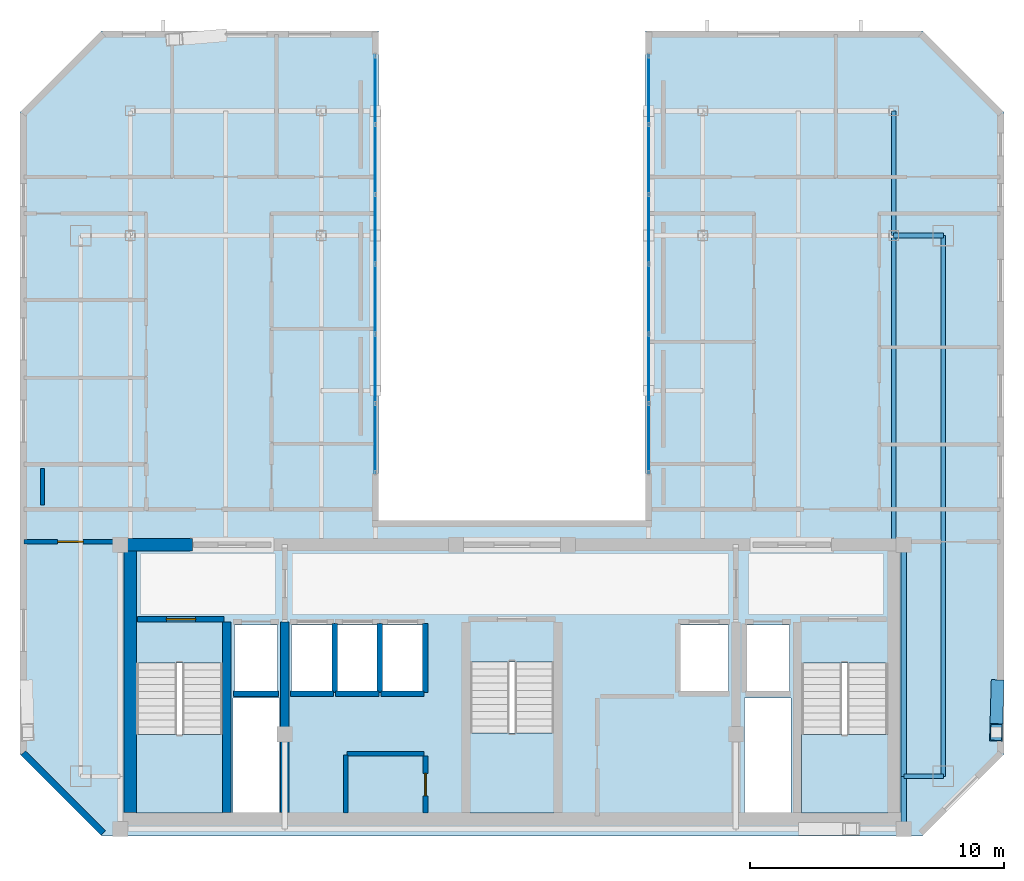
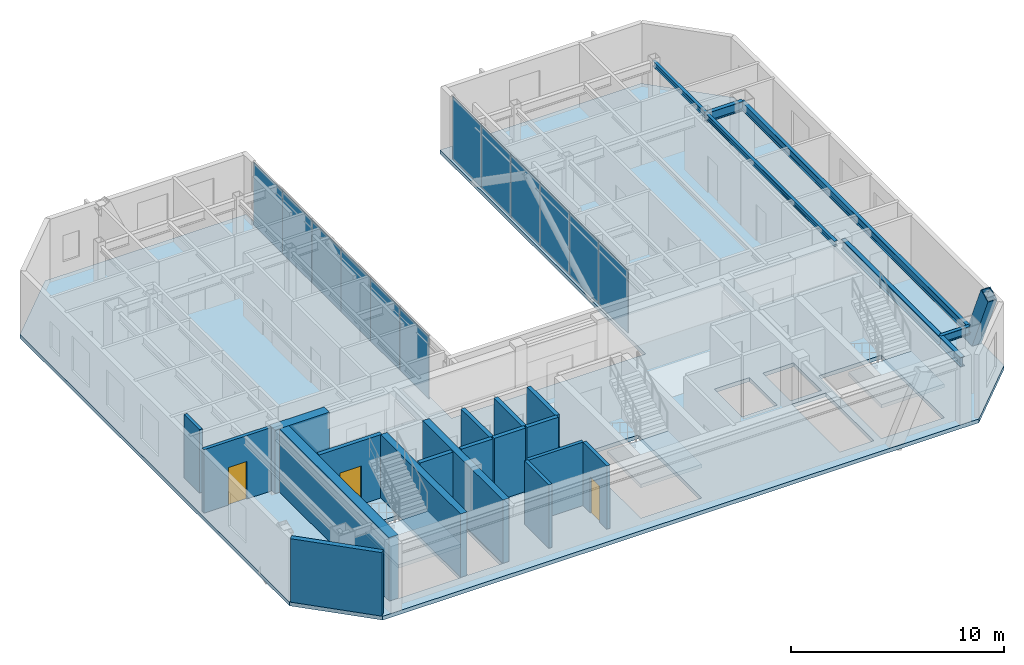
# One storey, part 13 of 18: 18 walls, 12 plates, 7 beams, 4 slabs, 3 doors, 1 member, 3 openings, 5 elements without a shape of their own.
"""IFC4 building model written with IfcOpenShell, lengths in metres."""

from ifc_helpers import new_model, si_unit, direction, frame, frame_2d, origin, origin_2d, place, context, subcontext, project, spatial, polyline, rectangle, hollow_rectangle, i_section, outline, extrude, material, layer, layer_set, material_profile, profile_set, type_object, element, fill, aggregate, save


model = new_model("IFC4")

# Units and contexts
model_context = context("Model", 3, precision=1e-05, world=origin(), true_north=direction((0.0, 1.0)))
body_context = subcontext(model_context, "Body", "Model", "MODEL_VIEW")
ifc_project = project(units=[si_unit("LENGTHUNIT", "METRE"), si_unit("AREAUNIT", "SQUARE_METRE"), si_unit("VOLUMEUNIT", "CUBIC_METRE"), si_unit("PLANEANGLEUNIT", "RADIAN"), si_unit("MASSUNIT", "GRAM", prefix="KILO")], contexts=[model_context])

# Site, building, storey
site_placement = place(None, origin())
site = spatial("IfcSite", under=ifc_project, at=site_placement, CompositionType="ELEMENT")
building_placement = place(site_placement, origin())
building = spatial("IfcBuilding", under=site, at=building_placement, Name="Ventersveld Concourse Tower", CompositionType="ELEMENT")
storey_placement = place(building_placement, frame((0.0, 0.0, 341.35009765625)))
storey = spatial("IfcBuildingStorey", under=building, at=storey_placement, Name="L84", CompositionType="ELEMENT", Elevation=341.35009765625)

# Beams
ifc_material_1 = material(Name="Structural steel S355J2", Category="steel")
ifc_material_profile_1 = material_profile(ifc_material_1, i_section(OverallWidth=0.1650390625, OverallDepth=0.303466796875, WebThickness=0.006103515625, FlangeThickness=0.01025390625, FilletRadius=0.0087890625, at=origin_2d()), Name="UB 305x165x40")
ifc_profile_set_1 = profile_set([ifc_material_profile_1], Name="Structural steel S355J2")
beam_type_1 = type_object("IfcBeamType", Name="BM-UB305", PredefinedType="BEAM", material=ifc_profile_set_1)
beam_1_placement = place(storey_placement, frame((43.75, 11.449951171875, 3.478271484375), z_axis=(0.0, 1.0, 0.0), x_axis=(-1.0, 0.0, 0.0)))
element("IfcBeam", 1, at=beam_1_placement, inside=storey, type_object=beam_type_1, Name="L84 N-S Composite Floor Beam South X=43.75", PredefinedType="BEAM", context=body_context, shape_type="SweptSolid", body=[
    extrude(i_section(OverallWidth=0.1650390625, OverallDepth=0.303466796875, WebThickness=0.006103515625, FlangeThickness=0.01025390625, FilletRadius=0.0087890625, at=origin_2d()), origin(), (0.0, 0.0, 1.0), 12.150146484375),
])
beam_2_placement = place(storey_placement, frame((43.75, 23.60009765625, 3.478271484375), z_axis=(0.0, 1.0, 0.0), x_axis=(-1.0, 0.0, 0.0)))
element("IfcBeam", 2, at=beam_2_placement, inside=storey, type_object=beam_type_1, Name="L84 N-S Upper-Zone Floor Beam X=43.75", PredefinedType="BEAM", context=body_context, shape_type="SweptSolid", body=[
    extrude(i_section(OverallWidth=0.1650390625, OverallDepth=0.303466796875, WebThickness=0.006103515625, FlangeThickness=0.01025390625, FilletRadius=0.0087890625, at=origin_2d()), origin(), (0.0, 0.0, 1.0), 4.89990234375),
])
ifc_material_profile_2 = material_profile(ifc_material_1, i_section(OverallWidth=0.209228515625, OverallDepth=0.533203125, WebThickness=0.010009765625, FlangeThickness=0.015625, FilletRadius=0.0126953125, at=origin_2d()), Name="UB 533x210x92")
ifc_profile_set_2 = profile_set([ifc_material_profile_2], Name="Structural steel S355J2")
beam_type_2 = type_object("IfcBeamType", Name="GRD-UB533", PredefinedType="T_BEAM", material=ifc_profile_set_2)
beam_3_placement = place(storey_placement, frame((43.75, 23.60009765625, 3.36328125), z_axis=(1.0, 0.0, 0.0), x_axis=(0.0, 1.0, 0.0)))
element("IfcBeam", 3, at=beam_3_placement, inside=storey, type_object=beam_type_2, Name="L84 Primary E-W Grid Girder Y=23.60 #5", PredefinedType="T_BEAM", context=body_context, shape_type="SweptSolid", body=[
    extrude(i_section(OverallWidth=0.209228515625, OverallDepth=0.533203125, WebThickness=0.010009765625, FlangeThickness=0.015625, FilletRadius=0.0126953125, at=origin_2d()), origin(), (0.0, 0.0, 1.0), 1.949951171875),
])
ifc_material_profile_3 = material_profile(ifc_material_1, i_section(OverallWidth=0.2119140625, OverallDepth=0.54443359375, WebThickness=0.0126953125, FlangeThickness=0.021240234375, FilletRadius=0.0126953125, at=origin_2d()), Name="UB 533x210x122")
ifc_profile_set_3 = profile_set([ifc_material_profile_3], Name="Structural steel S355J2")
beam_type_3 = type_object("IfcBeamType", Name="GRD-UB533H", PredefinedType="T_BEAM", material=ifc_profile_set_3)
beam_4_placement = place(storey_placement, frame((44.14990234375, 0.280029296875, 3.357666015625), z_axis=(0.0, 1.0, 0.0), x_axis=(-1.0, 0.0, 0.0)))
element("IfcBeam", 4, at=beam_4_placement, inside=storey, type_object=beam_type_3, Name="L84 Core East Tie Beam S", PredefinedType="T_BEAM", context=body_context, shape_type="SweptSolid", body=[
    extrude(i_section(OverallWidth=0.2119140625, OverallDepth=0.54443359375, WebThickness=0.0126953125, FlangeThickness=0.021240234375, FilletRadius=0.0126953125, at=origin_2d()), origin(), (0.0, 0.0, 1.0), 2.070068359375),
])
beam_5_placement = place(storey_placement, frame((44.14990234375, 2.35009765625, 3.357666015625), z_axis=(0.0, 1.0, 0.0), x_axis=(-1.0, 0.0, 0.0)))
element("IfcBeam", 5, at=beam_5_placement, inside=storey, type_object=beam_type_3, Name="L84 Core East Tie Beam N", PredefinedType="T_BEAM", context=body_context, shape_type="SweptSolid", body=[
    extrude(i_section(OverallWidth=0.2119140625, OverallDepth=0.54443359375, WebThickness=0.0126953125, FlangeThickness=0.021240234375, FilletRadius=0.0126953125, at=origin_2d()), origin(), (0.0, 0.0, 1.0), 9.099853515625),
])

# Member
ifc_material_2 = material(Name="Structural steel S355ML", Category="steel")
ifc_material_profile_4 = material_profile(ifc_material_2, hollow_rectangle(XDim=0.5, YDim=0.75, WallThickness=0.034912109375, at=origin_2d()), Name="BOX 750x500x35")
ifc_profile_set_4 = profile_set([ifc_material_profile_4], Name="Structural steel S355ML")
member_type = type_object("IfcMemberType", Name="MB-750x500", PredefinedType="BRACE", material=ifc_profile_set_4)
member_placement = place(storey_placement, frame((47.827392578125, 5.7978515625, -0.22021484375), z_axis=(-0.011632088153, -0.408627733561, 0.912627015757), x_axis=(0.999595083146, -0.028454696461, 0.0)))
element("IfcMember", 6, at=member_placement, inside=storey, type_object=member_type, Name="L84 Exterior Mega-Brace E (Module M20)", PredefinedType="BRACE", context=body_context, shape_type="SweptSolid", body=[
    extrude(hollow_rectangle(XDim=0.5, YDim=0.75, WallThickness=0.034912109375, at=origin_2d()), origin(), (0.0, 0.0, 1.0), 4.21875),
])

# Beams
ifc_material_profile_5 = material_profile(ifc_material_1, i_section(OverallWidth=0.19140625, OverallDepth=0.4599609375, WebThickness=0.010009765625, FlangeThickness=0.01611328125, FilletRadius=0.01025390625, at=origin_2d()), Name="UB 457x191x82")
ifc_profile_set_5 = profile_set([ifc_material_profile_5], Name="Structural steel S355J2")
beam_type_4 = type_object("IfcBeamType", Name="SPD-UB457", PredefinedType="SPANDREL", material=ifc_profile_set_5)
beam_6_placement = place(storey_placement, frame((44.14990234375, 2.35009765625, 3.39990234375), z_axis=(1.0, 0.0, 0.0), x_axis=(0.0, 1.0, 0.0)))
element("IfcBeam", 7, at=beam_6_placement, inside=storey, type_object=beam_type_4, Name="L84 SE Spandrel Beam", PredefinedType="SPANDREL", context=body_context, shape_type="SweptSolid", body=[
    extrude(i_section(OverallWidth=0.19140625, OverallDepth=0.4599609375, WebThickness=0.010009765625, FlangeThickness=0.01611328125, FilletRadius=0.01025390625, at=origin_2d()), origin(), (0.0, 0.0, 1.0), 1.550048828125),
])
beam_7_placement = place(storey_placement, frame((45.699951171875, 2.35009765625, 3.39990234375), z_axis=(0.0, 1.0, 0.0), x_axis=(-1.0, 0.0, 0.0)))
element("IfcBeam", 8, at=beam_7_placement, inside=storey, type_object=beam_type_4, Name="L84 East Spandrel Beam", PredefinedType="SPANDREL", context=body_context, shape_type="SweptSolid", body=[
    extrude(i_section(OverallWidth=0.19140625, OverallDepth=0.4599609375, WebThickness=0.010009765625, FlangeThickness=0.01611328125, FilletRadius=0.01025390625, at=origin_2d()), origin(), (0.0, 0.0, 1.0), 21.25),
])

# Curtain wall, plates
ifc_material_3 = material(Name="Anodised aluminium EN AW-6063-T6", Category="aluminium")
curtain_wall_type = type_object("IfcCurtainWallType", Name="CW-WP-5", PredefinedType="NOTDEFINED", material=ifc_material_3)
curtain_wall_1_placement = place(storey_placement, origin())
curtain_wall_1 = element("IfcCurtainWall", 9, at=curtain_wall_1_placement, inside=storey, type_object=curtain_wall_type, Name="L84 L84 Wind Portal Aerodynamic Cheek Curtain Wall", PredefinedType="NOTDEFINED")
ifc_material_4 = material(Name="Low-E double glazing IGU", Category="glass")
ifc_layer_1 = layer(ifc_material_4, 0.0380859375)
ifc_layer_set_1 = layer_set([ifc_layer_1], Name="Low-E double glazing IGU")
plate_type = type_object("IfcPlateType", Name="CWP-GLZ-38", PredefinedType="CURTAIN_PANEL", material=ifc_layer_set_1)
plate_1_placement = place(storey_placement, frame((34.1298828125, 15.62158203125, 0.02001953125), z_axis=(0.0, 0.0, 1.0), x_axis=(0.0, 1.0, 0.0)))
plate_1 = element("IfcPlate", 10, at=plate_1_placement, type_object=plate_type, Name="CW-L84-WP-E Glazed Panel 01-1", PredefinedType="CURTAIN_PANEL", context=body_context, shape_type="SweptSolid", body=[
    extrude(rectangle(XDim=2.73291015625, YDim=0.0380859375, at=origin_2d()), origin(), (0.0, 0.0, 1.0), 3.590087890625),
])
plate_2_placement = place(storey_placement, frame((34.1298828125, 18.364501953125, 0.02001953125), z_axis=(0.0, 0.0, 1.0), x_axis=(0.0, 1.0, 0.0)))
plate_2 = element("IfcPlate", 11, at=plate_2_placement, type_object=plate_type, Name="CW-L84-WP-E Glazed Panel 02-1", PredefinedType="CURTAIN_PANEL", context=body_context, shape_type="SweptSolid", body=[
    extrude(rectangle(XDim=2.73291015625, YDim=0.0380859375, at=origin_2d()), origin(), (0.0, 0.0, 1.0), 3.590087890625),
])
plate_3_placement = place(storey_placement, frame((34.1298828125, 21.107421875, 0.02001953125), z_axis=(0.0, 0.0, 1.0), x_axis=(0.0, 1.0, 0.0)))
plate_3 = element("IfcPlate", 12, at=plate_3_placement, type_object=plate_type, Name="CW-L84-WP-E Glazed Panel 03-1", PredefinedType="CURTAIN_PANEL", context=body_context, shape_type="SweptSolid", body=[
    extrude(rectangle(XDim=2.73291015625, YDim=0.0380859375, at=origin_2d()), origin(), (0.0, 0.0, 1.0), 3.590087890625),
])
plate_4_placement = place(storey_placement, frame((34.1298828125, 23.8505859375, 0.02001953125), z_axis=(0.0, 0.0, 1.0), x_axis=(0.0, 1.0, 0.0)))
plate_4 = element("IfcPlate", 13, at=plate_4_placement, type_object=plate_type, Name="CW-L84-WP-E Glazed Panel 04-1", PredefinedType="CURTAIN_PANEL", context=body_context, shape_type="SweptSolid", body=[
    extrude(rectangle(XDim=2.73291015625, YDim=0.0380859375, at=origin_2d()), origin(), (0.0, 0.0, 1.0), 3.590087890625),
])
plate_5_placement = place(storey_placement, frame((34.1298828125, 26.593505859375, 0.02001953125), z_axis=(0.0, 0.0, 1.0), x_axis=(0.0, 1.0, 0.0)))
plate_5 = element("IfcPlate", 14, at=plate_5_placement, type_object=plate_type, Name="CW-L84-WP-E Glazed Panel 05-1", PredefinedType="CURTAIN_PANEL", context=body_context, shape_type="SweptSolid", body=[
    extrude(rectangle(XDim=2.73291015625, YDim=0.0380859375, at=origin_2d()), origin(), (0.0, 0.0, 1.0), 3.590087890625),
])
plate_6_placement = place(storey_placement, frame((34.1298828125, 29.336669921875, 0.02001953125), z_axis=(0.0, 0.0, 1.0), x_axis=(0.0, 1.0, 0.0)))
plate_6 = element("IfcPlate", 15, at=plate_6_placement, type_object=plate_type, Name="CW-L84-WP-E Glazed Panel 06-1", PredefinedType="CURTAIN_PANEL", context=body_context, shape_type="SweptSolid", body=[
    extrude(rectangle(XDim=2.73291015625, YDim=0.0380859375, at=origin_2d()), origin(), (0.0, 0.0, 1.0), 3.590087890625),
])
aggregate(curtain_wall_1, [plate_1, plate_2, plate_3, plate_4, plate_5, plate_6])

curtain_wall_2_placement = place(storey_placement, origin())
curtain_wall_2 = element("IfcCurtainWall", 16, at=curtain_wall_2_placement, inside=storey, type_object=curtain_wall_type, Name="L84 L84 Wind Portal Aerodynamic Cheek Curtain Wall", PredefinedType="NOTDEFINED")
plate_7_placement = place(storey_placement, frame((23.3701171875, 15.62158203125, 0.02001953125), z_axis=(0.0, 0.0, 1.0), x_axis=(0.0, 1.0, 0.0)))
plate_7 = element("IfcPlate", 17, at=plate_7_placement, type_object=plate_type, Name="CW-L84-WP-W Glazed Panel 01-1", PredefinedType="CURTAIN_PANEL", context=body_context, shape_type="SweptSolid", body=[
    extrude(rectangle(XDim=2.73291015625, YDim=0.0380859375, at=origin_2d()), origin(), (0.0, 0.0, 1.0), 3.590087890625),
])
plate_8_placement = place(storey_placement, frame((23.3701171875, 18.364501953125, 0.02001953125), z_axis=(0.0, 0.0, 1.0), x_axis=(0.0, 1.0, 0.0)))
plate_8 = element("IfcPlate", 18, at=plate_8_placement, type_object=plate_type, Name="CW-L84-WP-W Glazed Panel 02-1", PredefinedType="CURTAIN_PANEL", context=body_context, shape_type="SweptSolid", body=[
    extrude(rectangle(XDim=2.73291015625, YDim=0.0380859375, at=origin_2d()), origin(), (0.0, 0.0, 1.0), 3.590087890625),
])
plate_9_placement = place(storey_placement, frame((23.3701171875, 21.107421875, 0.02001953125), z_axis=(0.0, 0.0, 1.0), x_axis=(0.0, 1.0, 0.0)))
plate_9 = element("IfcPlate", 19, at=plate_9_placement, type_object=plate_type, Name="CW-L84-WP-W Glazed Panel 03-1", PredefinedType="CURTAIN_PANEL", context=body_context, shape_type="SweptSolid", body=[
    extrude(rectangle(XDim=2.73291015625, YDim=0.0380859375, at=origin_2d()), origin(), (0.0, 0.0, 1.0), 3.590087890625),
])
plate_10_placement = place(storey_placement, frame((23.3701171875, 23.8505859375, 0.02001953125), z_axis=(0.0, 0.0, 1.0), x_axis=(0.0, 1.0, 0.0)))
plate_10 = element("IfcPlate", 20, at=plate_10_placement, type_object=plate_type, Name="CW-L84-WP-W Glazed Panel 04-1", PredefinedType="CURTAIN_PANEL", context=body_context, shape_type="SweptSolid", body=[
    extrude(rectangle(XDim=2.73291015625, YDim=0.0380859375, at=origin_2d()), origin(), (0.0, 0.0, 1.0), 3.590087890625),
])
plate_11_placement = place(storey_placement, frame((23.3701171875, 26.593505859375, 0.02001953125), z_axis=(0.0, 0.0, 1.0), x_axis=(0.0, 1.0, 0.0)))
plate_11 = element("IfcPlate", 21, at=plate_11_placement, type_object=plate_type, Name="CW-L84-WP-W Glazed Panel 05-1", PredefinedType="CURTAIN_PANEL", context=body_context, shape_type="SweptSolid", body=[
    extrude(rectangle(XDim=2.73291015625, YDim=0.0380859375, at=origin_2d()), origin(), (0.0, 0.0, 1.0), 3.590087890625),
])
plate_12_placement = place(storey_placement, frame((23.3701171875, 29.336669921875, 0.02001953125), z_axis=(0.0, 0.0, 1.0), x_axis=(0.0, 1.0, 0.0)))
plate_12 = element("IfcPlate", 22, at=plate_12_placement, type_object=plate_type, Name="CW-L84-WP-W Glazed Panel 06-1", PredefinedType="CURTAIN_PANEL", context=body_context, shape_type="SweptSolid", body=[
    extrude(rectangle(XDim=2.73291015625, YDim=0.0380859375, at=origin_2d()), origin(), (0.0, 0.0, 1.0), 3.590087890625),
])
aggregate(curtain_wall_2, [plate_7, plate_8, plate_9, plate_10, plate_11, plate_12])

# Slab
ifc_material_5 = material(Name="Concrete C50/60", Category="concrete")
ifc_layer_2 = layer(ifc_material_5, 0.219970703125)
ifc_layer_set_2 = layer_set([ifc_layer_2], Name="Concrete C50/60")
slab_type_1 = type_object("IfcSlabType", Name="SL-FLR-220", PredefinedType="FLOOR", material=ifc_layer_set_2)
slab_1_placement = place(storey_placement, frame((0.0, 0.0, -0.22021484375)))
element("IfcSlab", 23, at=slab_1_placement, inside=storey, type_object=slab_type_1, Name="L84 Composite Floor Slab", PredefinedType="FLOOR", context=body_context, shape_type="SweptSolid", body=[
    extrude(outline(polyline([(12.619384765625, 0.0), (44.880615234375, 0.0), (48.08056640625, 3.199951171875), (48.08056640625, 28.447998046875), (44.880615234375, 31.648193359375), (34.0, 31.648193359375), (34.0, 12.39990234375), (23.5, 12.39990234375), (23.5, 31.648193359375), (12.619384765625, 31.648193359375), (9.41943359375, 28.447998046875), (9.41943359375, 3.199951171875), (12.619384765625, 0.0)]), holes=[polyline([(13.97998046875, 6.794921875), (13.97998046875, 0.89990234375), (17.3798828125, 0.89990234375), (17.3798828125, 6.794921875), (13.97998046875, 6.794921875)]), polyline([(40.1201171875, 6.794921875), (40.1201171875, 0.89990234375), (43.52001953125, 0.89990234375), (43.52001953125, 6.794921875), (40.1201171875, 6.794921875)]), polyline([(27.10009765625, 6.844970703125), (27.10009765625, 0.89990234375), (30.39990234375, 0.89990234375), (30.39990234375, 6.844970703125), (27.10009765625, 6.844970703125)]), polyline([(17.85009765625, 5.699951171875), (19.530029296875, 5.699951171875), (19.530029296875, 8.300048828125), (17.85009765625, 8.300048828125), (17.85009765625, 5.699951171875)]), polyline([(37.969970703125, 5.699951171875), (39.64990234375, 5.699951171875), (39.64990234375, 8.300048828125), (37.969970703125, 8.300048828125), (37.969970703125, 5.699951171875)]), polyline([(35.35009765625, 5.699951171875), (37.25, 5.699951171875), (37.25, 8.300048828125), (35.35009765625, 8.300048828125), (35.35009765625, 5.699951171875)]), polyline([(20.090087890625, 5.699951171875), (21.68994140625, 5.699951171875), (21.68994140625, 8.300048828125), (20.090087890625, 8.300048828125), (20.090087890625, 5.699951171875)]), polyline([(21.8701171875, 5.699951171875), (23.469970703125, 5.699951171875), (23.469970703125, 8.300048828125), (21.8701171875, 8.300048828125), (21.8701171875, 5.699951171875)]), polyline([(23.64990234375, 5.699951171875), (25.25, 5.699951171875), (25.25, 8.300048828125), (23.64990234375, 8.300048828125), (23.64990234375, 5.699951171875)]), polyline([(17.780029296875, 0.919921875), (19.6201171875, 0.919921875), (19.6201171875, 5.419921875), (17.780029296875, 5.419921875), (17.780029296875, 0.919921875)]), polyline([(37.8798828125, 0.919921875), (39.719970703125, 0.919921875), (39.719970703125, 5.419921875), (37.8798828125, 5.419921875), (37.8798828125, 0.919921875)])]), origin(), (0.0, 0.0, 1.0), 0.22021484375),
])

# Stair, slab
stair_type_1 = type_object("IfcStairType", Name="ST-DOG-160", PredefinedType="HALF_TURN_STAIR", material=ifc_material_5)
stair_1_placement = place(storey_placement, origin())
stair_1 = element("IfcStair", 24, at=stair_1_placement, inside=storey, type_object=stair_type_1, Name="L84 Protected Tower Escape Stair ST-01", PredefinedType="HALF_TURN_STAIR")
ifc_layer_3 = layer(ifc_material_5, 0.199951171875)
ifc_layer_set_3 = layer_set([ifc_layer_3], Name="Concrete C50/60")
slab_type_2 = type_object("IfcSlabType", Name="SL-LND-200", PredefinedType="LANDING", material=ifc_layer_set_3)
slab_2_placement = place(storey_placement, frame((0.0, 0.0, 1.724853515625)))
slab_2 = element("IfcSlab", 25, at=slab_2_placement, type_object=slab_type_2, Name="ST-01 landing 1", PredefinedType="LANDING", context=body_context, shape_type="SweptSolid", body=[
    extrude(outline(polyline([(13.97998046875, 4.0), (13.97998046875, 0.89990234375), (17.3798828125, 0.89990234375), (17.3798828125, 4.0), (13.97998046875, 4.0)])), origin(), (0.0, 0.0, 1.0), 0.199951171875),
])
aggregate(stair_1, [slab_2])

stair_2_placement = place(storey_placement, origin())
stair_2 = element("IfcStair", 26, at=stair_2_placement, inside=storey, type_object=stair_type_1, Name="L84 Protected Tower Escape Stair ST-02", PredefinedType="HALF_TURN_STAIR")
slab_3_placement = place(storey_placement, frame((0.0, 0.0, 1.724853515625)))
slab_3 = element("IfcSlab", 27, at=slab_3_placement, type_object=slab_type_2, Name="ST-02 landing 1", PredefinedType="LANDING", context=body_context, shape_type="SweptSolid", body=[
    extrude(outline(polyline([(40.1201171875, 4.0), (40.1201171875, 0.89990234375), (43.52001953125, 0.89990234375), (43.52001953125, 4.0), (40.1201171875, 4.0)])), origin(), (0.0, 0.0, 1.0), 0.199951171875),
])
aggregate(stair_2, [slab_3])

stair_type_2 = type_object("IfcStairType", Name="ST-DOG-155", PredefinedType="HALF_TURN_STAIR", material=ifc_material_5)
stair_3_placement = place(storey_placement, origin())
stair_3 = element("IfcStair", 28, at=stair_3_placement, inside=storey, type_object=stair_type_2, Name="L84 Protected Central Core Escape Stair ST-03", PredefinedType="HALF_TURN_STAIR")
slab_4_placement = place(storey_placement, frame((0.0, 0.0, 1.724853515625)))
slab_4 = element("IfcSlab", 29, at=slab_4_placement, type_object=slab_type_2, Name="ST-03 landing 1", PredefinedType="LANDING", context=body_context, shape_type="SweptSolid", body=[
    extrude(outline(polyline([(27.10009765625, 4.050048828125), (27.10009765625, 0.89990234375), (30.39990234375, 0.89990234375), (30.39990234375, 4.050048828125), (27.10009765625, 4.050048828125)])), origin(), (0.0, 0.0, 1.0), 0.199951171875),
])
aggregate(stair_3, [slab_4])

# Walls
ifc_layer_4 = layer(ifc_material_5, 0.35009765625)
ifc_layer_set_4 = layer_set([ifc_layer_4], Name="Concrete C50/60")
wall_type_1 = type_object("IfcWallType", Name="WL-CORE-350U", PredefinedType="SHEAR", material=ifc_layer_set_4)
for number, where, z_axis, x_axis, name in (
    (30, (17.5400390625, 0.919921875, 0.0), (0.0, 0.0, 1.0), (0.0, 1.0, 0.0), "L84 Core Internal Shear Web W-ST1-E"),
    (31, (19.820068359375, 0.919921875, 0.0), (0.0, 0.0, 1.0), (0.0, 1.0, 0.0), "L84 Core Internal Shear Web W-FF1-E"),
):
    element("IfcWall", number, at=place(storey_placement, frame(where, z_axis=z_axis, x_axis=x_axis)), inside=storey, type_object=wall_type_1, Name=name, PredefinedType="SHEAR", context=body_context, shape_type="SweptSolid", body=[
        extrude(rectangle(XDim=7.5, YDim=0.35009765625, at=frame_2d((3.75, 0.0))), origin(), (0.0, 0.0, 1.0), 3.6298828125),
    ])
ifc_layer_5 = layer(ifc_material_5, 0.5)
ifc_layer_set_5 = layer_set([ifc_layer_5], Name="Concrete C50/60")
wall_type_2 = type_object("IfcWallType", Name="WL-CORE-500", PredefinedType="SHEAR", material=ifc_layer_set_5)
wall_1_placement = place(storey_placement, frame((13.75, 0.919921875, 0.0), z_axis=(0.0, 0.0, 1.0), x_axis=(0.0, 1.0, 0.0)))
element("IfcWall", 32, at=wall_1_placement, inside=storey, type_object=wall_type_2, Name="L84 Rear Core West Shear Wall", PredefinedType="SHEAR", context=body_context, shape_type="SweptSolid", body=[
    extrude(rectangle(XDim=10.530029296875, YDim=0.5, at=frame_2d((5.26513671875, 0.0))), origin(), (0.0, 0.0, 1.0), 3.6298828125),
])
wall_2_placement = place(storey_placement, frame((13.25, 11.449951171875, 0.0), z_axis=(0.0, 0.0, 1.0), x_axis=(1.0, 0.0, 0.0)))
element("IfcWall", 33, at=wall_2_placement, inside=storey, type_object=wall_type_2, Name="L84 Rear Core North Shear Wall NW", PredefinedType="SHEAR", context=body_context, shape_type="SweptSolid", body=[
    extrude(rectangle(XDim=2.949951171875, YDim=0.5, at=frame_2d((1.47509765625, 0.0))), origin(), (0.0, 0.0, 1.0), 3.6298828125),
])

# Wall, opening, door
ifc_material_6 = material(Name="Fire-rated autoclaved aerated masonry blockwork", Category="masonry")
ifc_layer_6 = layer(ifc_material_6, 0.179931640625)
ifc_layer_set_6 = layer_set([ifc_layer_6], Name="Fire-rated autoclaved aerated masonry blockwork")
wall_type_3 = type_object("IfcWallType", Name="WL-CORR-180", PredefinedType="PARTITIONING", material=ifc_layer_set_6)
wall_3_placement = place(storey_placement, frame((25.35009765625, 0.89990234375, 0.0), z_axis=(0.0, 0.0, 1.0), x_axis=(0.0, 1.0, 0.0)))
wall_3 = element("IfcWall", 34, at=wall_3_placement, inside=storey, type_object=wall_type_3, Name="L84 Core Passage Wall SP-L84-RECB1", PredefinedType="PARTITIONING", context=body_context, shape_type="SweptSolid", body=[
    extrude(rectangle(XDim=2.239990234375, YDim=0.179931640625, at=frame_2d((1.1201171875, 0.0))), origin(), (0.0, 0.0, 1.0), 3.6298828125),
])
opening_1_placement = place(wall_3_placement, frame((0.679931640625, 0.0, 0.0)))
opening_1 = element("IfcOpeningElement", 35, at=opening_1_placement, cuts=wall_3, Name="Opening FD5", PredefinedType="OPENING", context=body_context, shape_type="SweptSolid", body=[
    extrude(rectangle(XDim=0.8798828125, YDim=2.050048828125, at=frame_2d((0.43994140625, 1.02490234375))), frame((0.0, 0.10009765625, 0.0), z_axis=(0.0, -1.0, 0.0), x_axis=(1.0, 0.0, 0.0)), (0.0, 0.0, 1.0), 0.199951171875),
])
ifc_material_7 = material(Name="Galvanised painted steel", Category="steel")
door_type_1 = type_object("IfcDoorType", Name="DR-RISER-088", OperationType="NOTDEFINED", PredefinedType="DOOR", material=ifc_material_7)
door_1_placement = place(opening_1_placement, origin())
door_1 = element("IfcDoor", 36, at=door_1_placement, inside=storey, type_object=door_type_1, Name="L84 Core Room Door L84 Reclaimed Core Residents Reading Room (CD-L84-3776)", OperationType="SINGLE_SWING_LEFT", OverallHeight=2.050048828125, OverallWidth=0.8798828125, PredefinedType="DOOR", context=body_context, shape_type="SweptSolid", body=[
    extrude(rectangle(XDim=0.8798828125, YDim=2.050048828125, at=frame_2d((0.43994140625, 1.02490234375))), frame((0.0, 0.02490234375, 0.0), z_axis=(0.0, -1.0, 0.0), x_axis=(1.0, 0.0, 0.0)), (0.0, 0.0, 1.0), 0.050048828125),
])
fill(opening_1, door_1)

# Walls
wall_4_placement = place(storey_placement, frame((22.260009765625, 3.22998046875, 0.0), z_axis=(0.0, 0.0, 1.0), x_axis=(1.0, 0.0, 0.0)))
element("IfcWall", 37, at=wall_4_placement, inside=storey, type_object=wall_type_3, Name="L84 Core Top Wall SP-L84-RECB1", PredefinedType="PARTITIONING", context=body_context, shape_type="SweptSolid", body=[
    extrude(rectangle(XDim=3.0400390625, YDim=0.179931640625, at=frame_2d((1.52001953125, 0.0))), origin(), (0.0, 0.0, 1.0), 3.6298828125),
])
wall_5_placement = place(storey_placement, frame((22.219970703125, 0.909912109375, 0.0), z_axis=(0.0, 0.0, 1.0), x_axis=(0.0, 1.0, 0.0)))
element("IfcWall", 38, at=wall_5_placement, inside=storey, type_object=wall_type_3, Name="L84 Core West Wall SP-L84-RECB1", PredefinedType="PARTITIONING", context=body_context, shape_type="SweptSolid", body=[
    extrude(rectangle(XDim=2.280029296875, YDim=0.179931640625, at=frame_2d((1.14013671875, 0.0))), origin(), (0.0, 0.0, 1.0), 3.6298828125),
])

# Wall, opening, door
wall_6_placement = place(storey_placement, frame((9.569091796875, 11.570068359375, 0.0), z_axis=(0.0, 0.0, 1.0), x_axis=(1.0, 0.0, 0.0)))
wall_6 = element("IfcWall", 39, at=wall_6_placement, inside=storey, type_object=wall_type_3, Name="L84 Interior Partition SP-L84-COR-W-SP-L84-SWSTU", PredefinedType="PARTITIONING", context=body_context, shape_type="SweptSolid", body=[
    extrude(rectangle(XDim=3.64599609375, YDim=0.179931640625, at=frame_2d((1.822998046875, 0.0))), origin(), (0.0, 0.0, 1.0), 3.6298828125),
])
opening_2_placement = place(wall_6_placement, frame((1.322998046875, 0.0, 0.0)))
opening_2 = element("IfcOpeningElement", 40, at=opening_2_placement, cuts=wall_6, Name="Opening FD3", PredefinedType="OPENING", context=body_context, shape_type="SweptSolid", body=[
    extrude(rectangle(XDim=1.0, YDim=2.14990234375, at=frame_2d((0.5, 1.074951171875))), frame((0.0, 0.10009765625, 0.0), z_axis=(0.0, -1.0, 0.0), x_axis=(1.0, 0.0, 0.0)), (0.0, 0.0, 1.0), 0.199951171875),
])
ifc_material_8 = material(Name="Solid-core hardwood veneer timber", Category="wood")
door_type_2 = type_object("IfcDoorType", Name="DR-FLAT-100", OperationType="NOTDEFINED", PredefinedType="DOOR", material=ifc_material_8)
door_2_placement = place(opening_2_placement, origin())
door_2 = element("IfcDoor", 41, at=door_2_placement, inside=storey, type_object=door_type_2, Name="L84 Interior Door SP-L84-COR-W to SP-L84-SWSTU (D-L84-3778)", OperationType="SINGLE_SWING_RIGHT", OverallHeight=2.14990234375, OverallWidth=1.0, PredefinedType="DOOR", context=body_context, shape_type="SweptSolid", body=[
    extrude(rectangle(XDim=1.0, YDim=2.14990234375, at=frame_2d((0.5, 1.074951171875))), frame((0.0, 0.02490234375, 0.0), z_axis=(0.0, -1.0, 0.0), x_axis=(1.0, 0.0, 0.0)), (0.0, 0.0, 1.0), 0.050048828125),
])
fill(opening_2, door_2)

# Walls
ifc_layer_7 = layer(ifc_material_6, 0.219970703125)
ifc_layer_set_7 = layer_set([ifc_layer_7], Name="Fire-rated autoclaved aerated masonry blockwork")
wall_type_4 = type_object("IfcWallType", Name="WL-HOIST-220", PredefinedType="SOLIDWALL", material=ifc_layer_set_7)
wall_7_placement = place(storey_placement, frame((17.800048828125, 5.590087890625, 0.0), z_axis=(0.0, 0.0, 1.0), x_axis=(1.0, 0.0, 0.0)))
element("IfcWall", 42, at=wall_7_placement, inside=storey, type_object=wall_type_4, Name="L84 Lift Hoistway Back Wall FFL-01", PredefinedType="SOLIDWALL", context=body_context, shape_type="SweptSolid", body=[
    extrude(rectangle(XDim=1.780029296875, YDim=0.219970703125, at=frame_2d((0.89013671875, 0.0))), origin(), (0.0, 0.0, 1.0), 3.6298828125),
])
wall_8_placement = place(storey_placement, frame((20.0400390625, 5.590087890625, 0.0), z_axis=(0.0, 0.0, 1.0), x_axis=(1.0, 0.0, 0.0)))
element("IfcWall", 43, at=wall_8_placement, inside=storey, type_object=wall_type_4, Name="L84 Lift Hoistway Back Wall PH-01", PredefinedType="SOLIDWALL", context=body_context, shape_type="SweptSolid", body=[
    extrude(rectangle(XDim=1.699951171875, YDim=0.219970703125, at=frame_2d((0.85009765625, 0.0))), origin(), (0.0, 0.0, 1.0), 3.6298828125),
])
wall_9_placement = place(storey_placement, frame((21.780029296875, 5.64990234375, 0.0), z_axis=(0.0, 0.0, 1.0), x_axis=(0.0, 1.0, 0.0)))
element("IfcWall", 44, at=wall_9_placement, inside=storey, type_object=wall_type_4, Name="L84 Lift Hoistway Side Wall PH-01E", PredefinedType="SOLIDWALL", context=body_context, shape_type="SweptSolid", body=[
    extrude(rectangle(XDim=2.7001953125, YDim=0.219970703125, at=frame_2d((1.35009765625, 0.0))), origin(), (0.0, 0.0, 1.0), 3.6298828125),
])
wall_10_placement = place(storey_placement, frame((21.820068359375, 5.590087890625, 0.0), z_axis=(0.0, 0.0, 1.0), x_axis=(1.0, 0.0, 0.0)))
element("IfcWall", 45, at=wall_10_placement, inside=storey, type_object=wall_type_4, Name="L84 Lift Hoistway Back Wall PH-02", PredefinedType="SOLIDWALL", context=body_context, shape_type="SweptSolid", body=[
    extrude(rectangle(XDim=1.699951171875, YDim=0.219970703125, at=frame_2d((0.85009765625, 0.0))), origin(), (0.0, 0.0, 1.0), 3.6298828125),
])
wall_11_placement = place(storey_placement, frame((23.56005859375, 5.64990234375, 0.0), z_axis=(0.0, 0.0, 1.0), x_axis=(0.0, 1.0, 0.0)))
element("IfcWall", 46, at=wall_11_placement, inside=storey, type_object=wall_type_4, Name="L84 Lift Hoistway Side Wall PH-02E", PredefinedType="SOLIDWALL", context=body_context, shape_type="SweptSolid", body=[
    extrude(rectangle(XDim=2.7001953125, YDim=0.219970703125, at=frame_2d((1.35009765625, 0.0))), origin(), (0.0, 0.0, 1.0), 3.6298828125),
])
wall_12_placement = place(storey_placement, frame((23.60009765625, 5.590087890625, 0.0), z_axis=(0.0, 0.0, 1.0), x_axis=(1.0, 0.0, 0.0)))
element("IfcWall", 47, at=wall_12_placement, inside=storey, type_object=wall_type_4, Name="L84 Lift Hoistway Back Wall PH-03", PredefinedType="SOLIDWALL", context=body_context, shape_type="SweptSolid", body=[
    extrude(rectangle(XDim=1.699951171875, YDim=0.219970703125, at=frame_2d((0.85009765625, 0.0))), origin(), (0.0, 0.0, 1.0), 3.6298828125),
])
wall_13_placement = place(storey_placement, frame((25.340087890625, 5.64990234375, 0.0), z_axis=(0.0, 0.0, 1.0), x_axis=(0.0, 1.0, 0.0)))
element("IfcWall", 48, at=wall_13_placement, inside=storey, type_object=wall_type_4, Name="L84 Lift Hoistway Side Wall PH-03E", PredefinedType="SOLIDWALL", context=body_context, shape_type="SweptSolid", body=[
    extrude(rectangle(XDim=2.7001953125, YDim=0.219970703125, at=frame_2d((1.35009765625, 0.0))), origin(), (0.0, 0.0, 1.0), 3.6298828125),
])

# Wall, opening, door
wall_14_placement = place(storey_placement, frame((14.0400390625, 8.52001953125, 0.0), z_axis=(0.0, 0.0, 1.0), x_axis=(1.0, 0.0, 0.0)))
wall_14 = element("IfcWall", 49, at=wall_14_placement, inside=storey, type_object=wall_type_4, Name="L84 Escape Stair ST01 Fire Wall", PredefinedType="SOLIDWALL", context=body_context, shape_type="SweptSolid", body=[
    extrude(rectangle(XDim=3.39990234375, YDim=0.219970703125, at=frame_2d((1.699951171875, 0.0))), origin(), (0.0, 0.0, 1.0), 3.6298828125),
])
opening_3_placement = place(wall_14_placement, frame((1.125, 0.0, 0.0)))
opening_3 = element("IfcOpeningElement", 50, at=opening_3_placement, cuts=wall_14, Name="Opening FD1", PredefinedType="OPENING", context=body_context, shape_type="SweptSolid", body=[
    extrude(rectangle(XDim=1.14990234375, YDim=2.199951171875, at=frame_2d((0.574951171875, 1.10009765625))), frame((0.0, 0.1201171875, 0.0), z_axis=(0.0, -1.0, 0.0), x_axis=(1.0, 0.0, 0.0)), (0.0, 0.0, 1.0), 0.239990234375),
])
door_type_3 = type_object("IfcDoorType", Name="DR-STAIR-115", OperationType="NOTDEFINED", PredefinedType="DOOR", material=ifc_material_7)
door_3_placement = place(opening_3_placement, origin())
door_3 = element("IfcDoor", 51, at=door_3_placement, inside=storey, type_object=door_type_3, Name="L84 Escape Stair Door ST01 (SD-L84-3768)", OperationType="SINGLE_SWING_LEFT", OverallHeight=2.199951171875, OverallWidth=1.14990234375, PredefinedType="DOOR", context=body_context, shape_type="SweptSolid", body=[
    extrude(rectangle(XDim=1.14990234375, YDim=2.199951171875, at=frame_2d((0.574951171875, 1.10009765625))), frame((0.0, 0.02490234375, 0.0), z_axis=(0.0, -1.0, 0.0), x_axis=(1.0, 0.0, 0.0)), (0.0, 0.0, 1.0), 0.050048828125),
])
fill(opening_3, door_3)

# Walls
ifc_material_9 = material(Name="Precast concrete C45/55", Category="concrete")
ifc_layer_8 = layer(ifc_material_9, 0.260009765625)
ifc_layer_set_8 = layer_set([ifc_layer_8], Name="Precast concrete C45/55")
wall_type_5 = type_object("IfcWallType", Name="WL-PREC-260", PredefinedType="SOLIDWALL", material=ifc_layer_set_8)
wall_15_placement = place(storey_placement, frame((9.539794921875, 3.263671875, 0.0), z_axis=(0.0, 0.0, 1.0), x_axis=(0.707079321262, -0.707134240044, 0.0)))
element("IfcWall", 52, at=wall_15_placement, inside=storey, type_object=wall_type_5, Name="L84 Highveld Precast Facade Wall E12", PredefinedType="SOLIDWALL", context=body_context, shape_type="SweptSolid", body=[
    extrude(rectangle(XDim=4.445556640625, YDim=0.260009765625, at=frame_2d((2.22265625, 0.0))), origin(), (0.0, 0.0, 1.0), 3.6298828125),
])
ifc_material_10 = material(Name="Autoclaved aerated masonry blockwork", Category="masonry")
ifc_layer_9 = layer(ifc_material_10, 0.1650390625)
ifc_layer_set_9 = layer_set([ifc_layer_9], Name="Autoclaved aerated masonry blockwork")
wall_type_6 = type_object("IfcWallType", Name="WL-WET-165", PredefinedType="PLUMBINGWALL", material=ifc_layer_set_9)
wall_16_placement = place(storey_placement, frame((10.299560546875, 13.0048828125, 0.0), z_axis=(0.0, 0.0, 1.0), x_axis=(0.0, 1.0, 0.0)))
element("IfcWall", 53, at=wall_16_placement, inside=storey, type_object=wall_type_6, Name="L84 Room Enclosure Wall SP-L84-84WA-BATH", PredefinedType="PLUMBINGWALL", context=body_context, shape_type="SweptSolid", body=[
    extrude(rectangle(XDim=1.440185546875, YDim=0.1650390625, at=frame_2d((0.72021484375, 0.0))), origin(), (0.0, 0.0, 1.0), 3.6298828125),
])

save(model, "model.ifc")
